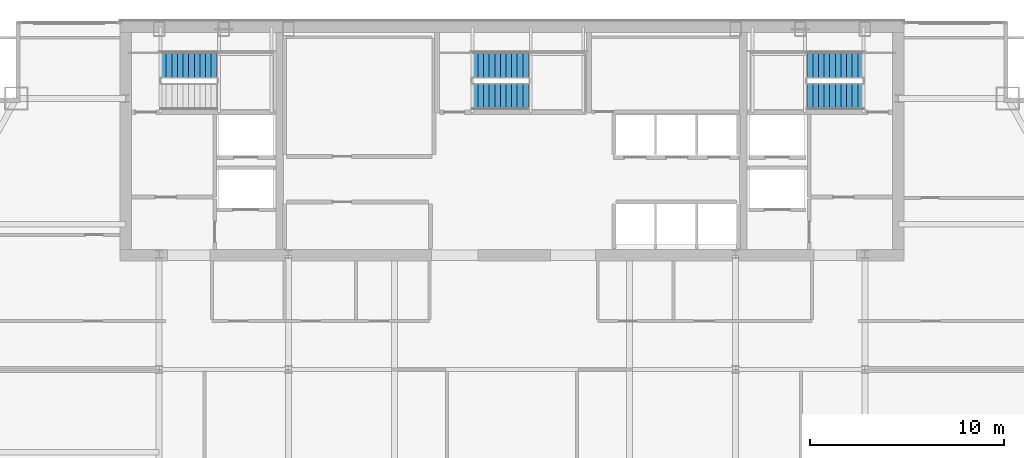
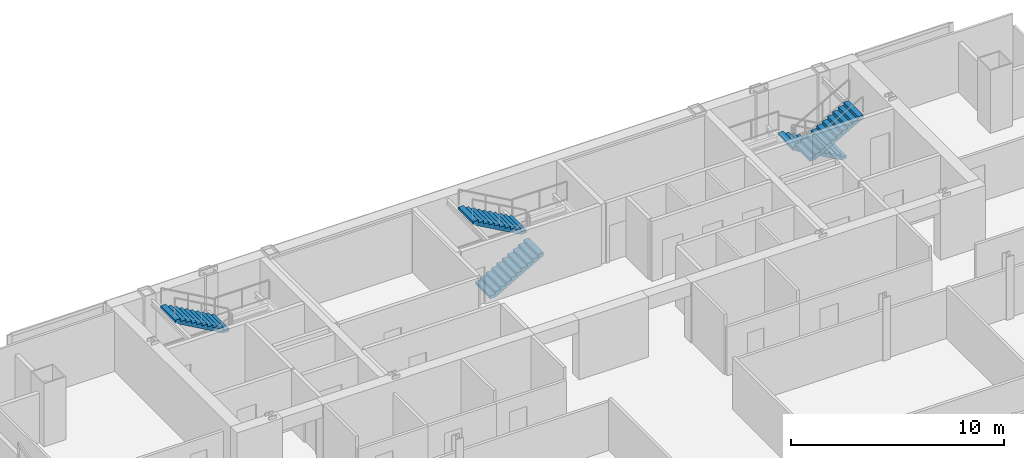
# One storey, part 30 of 32: 5 stair flights, 3 elements without a shape of their own.
"""IFC4 building model written with IfcOpenShell, lengths in metres."""

import ifcopenshell
import ifcopenshell.guid

model = None  # the IFC model being written
_history = None  # IfcOwnerHistory: only IFC2X3 demands one
_inside = {}  # id of a spatial element -> (the spatial element, [elements in it])
_under = {}  # id of a project, library or spatial element -> (it, [spatial elements below it])
_declared = {}  # id of a project -> (the project, [libraries it declares])
_typed = {}  # id of a type object -> (the type object, [elements of that type])
_made_of = {}  # id of a material, layer set ... -> (it, [elements and type objects made of it])


def new_model(schema):
    """Start an empty IFC model of exactly this schema.

    Asked for "IFC4X3", IfcOpenShell would pick the latest addendum, in which some entities
    have other attributes; the version numbers below select the first issue.
    IFC2X3 requires an IfcOwnerHistory on every rooted entity: one is made here for all.
    """
    global model, _history
    if schema == "IFC4X3":
        model = ifcopenshell.file(schema_version=(4, 3, 0, 0))
    else:
        model = ifcopenshell.file(schema=schema)
    _inside.clear()
    _under.clear()
    _declared.clear()
    _typed.clear()
    _made_of.clear()
    _history = None
    if model.schema == "IFC2X3":
        org = make("IfcOrganization", Name="unknown")
        user = make(
            "IfcPersonAndOrganization",
            ThePerson=make("IfcPerson", FamilyName="unknown"),
            TheOrganization=org,
        )
        app = make(
            "IfcApplication",
            ApplicationDeveloper=org,
            Version="unknown",
            ApplicationFullName="unknown",
            ApplicationIdentifier="unknown",
        )
        _history = make(
            "IfcOwnerHistory",
            OwningUser=user,
            OwningApplication=app,
            ChangeAction="ADDED",
            CreationDate=0,
        )
    return model


def make(cls, **values):
    """One entity of the class cls with the attributes given. An attribute that is None is left unset."""
    return model.create_entity(
        cls, **{name: value for name, value in values.items() if value is not None}
    )


def rooted(cls, **values):
    """An entity with a GlobalId (a new one), such as an element, a storey or a relation."""
    return make(cls, GlobalId=ifcopenshell.guid.new(), OwnerHistory=_history, **values)


def si_unit(unit_type, name, prefix=None):
    """IfcSIUnit, for example si_unit("LENGTHUNIT", "METRE", prefix="MILLI")."""
    return make("IfcSIUnit", UnitType=unit_type, Prefix=prefix, Name=name)


def assignment(units):
    """IfcUnitAssignment: the units of a project."""
    return None if units is None else make("IfcUnitAssignment", Units=units)


def point(xyz):
    """IfcCartesianPoint."""
    return None if xyz is None else make("IfcCartesianPoint", Coordinates=xyz)


def direction(xyz):
    """IfcDirection."""
    return None if xyz is None else make("IfcDirection", DirectionRatios=xyz)


def frame(location, z_axis=None, x_axis=None):
    """IfcAxis2Placement3D, a coordinate frame: its origin and axes. An axis left out is left unset."""
    return make(
        "IfcAxis2Placement3D",
        Location=point(location),
        Axis=direction(z_axis),
        RefDirection=direction(x_axis),
    )


def origin():
    """The frame at (0, 0, 0) with its axes left unset."""
    return frame((0.0, 0.0, 0.0))


def place(relative_to, where):
    """IfcLocalPlacement: puts the frame where relative to a parent placement (None: the world)."""
    return make(
        "IfcLocalPlacement", PlacementRelTo=relative_to, RelativePlacement=where
    )


def context(
    kind, dimensions, precision=None, world=None, true_north=None, identifier=None
):
    """IfcGeometricRepresentationContext, for example the 3D "Model" context."""
    return make(
        "IfcGeometricRepresentationContext",
        ContextIdentifier=identifier,
        ContextType=kind,
        CoordinateSpaceDimension=dimensions,
        Precision=precision,
        WorldCoordinateSystem=world,
        TrueNorth=true_north,
    )


def subcontext(parent, identifier, kind, view, scale=None):
    """IfcGeometricRepresentationSubContext, for example "Body" below "Model"."""
    return make(
        "IfcGeometricRepresentationSubContext",
        ContextIdentifier=identifier,
        ContextType=kind,
        ParentContext=parent,
        TargetScale=scale,
        TargetView=view,
    )


def project(units=None, contexts=None):
    """IfcProject with its units and contexts."""
    return rooted(
        "IfcProject",
        Name="project",
        RepresentationContexts=contexts,
        UnitsInContext=assignment(units),
    )


def spatial(cls, under=None, at=None, **own):
    """A site, building, storey or space (cls), placed at a placement, below another one or the project."""
    s = rooted(cls, ObjectPlacement=at, **own)
    if under is not None:
        _under.setdefault(under.id(), (under, []))[1].append(s)
    return s


def polyline(points):
    """IfcPolyline through the points."""
    return make("IfcPolyline", Points=[point(p) for p in points])


def outline(outer, holes=None, kind="AREA"):
    """IfcArbitraryClosedProfileDef: a profile drawn as a closed curve; with holes, ...WithVoids."""
    if holes is None:
        return make("IfcArbitraryClosedProfileDef", ProfileType=kind, OuterCurve=outer)
    return make(
        "IfcArbitraryProfileDefWithVoids",
        ProfileType=kind,
        OuterCurve=outer,
        InnerCurves=holes,
    )


def extrude(swept, where, along, depth):
    """IfcExtrudedAreaSolid: the profile swept, set in the frame where, extruded along a direction by depth."""
    return make(
        "IfcExtrudedAreaSolid",
        SweptArea=swept,
        Position=where,
        ExtrudedDirection=direction(along),
        Depth=depth,
    )


def shape(context_of_items, identifier, shape_type, items):
    """IfcShapeRepresentation: the items that make up one representation, for example the "Body"."""
    return make(
        "IfcShapeRepresentation",
        ContextOfItems=context_of_items,
        RepresentationIdentifier=identifier,
        RepresentationType=shape_type,
        Items=items,
    )


def material(Name=None, Category=None):
    """IfcMaterial."""
    return make("IfcMaterial", Name=Name, Category=Category)


def made_of(thing, what):
    """Note that an element or type object is made of a material, layer set ...; save() writes the relation."""
    if what is not None:
        _made_of.setdefault(what.id(), (what, []))[1].append(thing)
    return thing


def type_object(cls, material=None, **own):
    """A type object (cls), such as IfcWallType, which elements share."""
    return made_of(rooted(cls, **own), material)


def element(
    cls,
    number,
    at=None,
    inside=None,
    cuts=None,
    type_object=None,
    material=None,
    context=None,
    identifier="Body",
    shape_type=None,
    held_by="IfcProductDefinitionShape",
    body=None,
    shapes=None,
    **own,
):
    """One element of the class cls, such as IfcWall. Its Tag is "e" and its number.

    at: its placement. inside: the storey or other place that contains it. cuts: it is an
    opening in that element (IfcRelVoidsElement). A single representation is given by context,
    identifier, shape_type and body (its items); several are given by shapes. held_by: the class
    of the entity that holds the representations. save() writes the other relations.
    """
    e = rooted(cls, Tag="e%d" % number, ObjectPlacement=at, **own)
    if body is not None:
        shapes = [shape(context, identifier, shape_type, body)]
    if shapes is not None:
        e.Representation = make(held_by, Representations=shapes)
    if inside is not None:
        _inside.setdefault(inside.id(), (inside, []))[1].append(e)
    if cuts is not None:
        rooted(
            "IfcRelVoidsElement", RelatingBuildingElement=cuts, RelatedOpeningElement=e
        )
    if type_object is not None:
        _typed.setdefault(type_object.id(), (type_object, []))[1].append(e)
    return made_of(e, material)


def aggregate(whole, parts):
    """IfcRelAggregates: a whole, such as a stair, and the parts it consists of."""
    return rooted("IfcRelAggregates", RelatingObject=whole, RelatedObjects=parts)


def save(model, path):
    """Write the relations noted so far, then the file.

    IfcRelAggregates (storeys below a building ...), IfcRelContainedInSpatialStructure (elements
    in a storey), IfcRelDefinesByType, IfcRelAssociatesMaterial and IfcRelDeclares: one each for
    every whole, place, type object, material and project.
    """
    for whole, parts in _under.values():
        aggregate(whole, parts)
    for where, things in _inside.values():
        rooted(
            "IfcRelContainedInSpatialStructure",
            RelatedElements=things,
            RelatingStructure=where,
        )
    for kind, things in _typed.values():
        rooted("IfcRelDefinesByType", RelatedObjects=things, RelatingType=kind)
    for what, things in _made_of.values():
        rooted("IfcRelAssociatesMaterial", RelatedObjects=things, RelatingMaterial=what)
    for by, libraries in _declared.values():
        rooted("IfcRelDeclares", RelatingContext=by, RelatedDefinitions=libraries)
    model.write(path)


model = new_model("IFC4")

# Units and contexts
model_context = context("Model", 3, precision=1e-05, world=origin(), true_north=direction((0.0, 1.0)))
body_context = subcontext(model_context, "Body", "Model", "MODEL_VIEW")
ifc_project = project(units=[si_unit("LENGTHUNIT", "METRE"), si_unit("AREAUNIT", "SQUARE_METRE"), si_unit("VOLUMEUNIT", "CUBIC_METRE"), si_unit("PLANEANGLEUNIT", "RADIAN"), si_unit("MASSUNIT", "GRAM", prefix="KILO")], contexts=[model_context])

# Site, building, storey
site_placement = place(None, origin())
site = spatial("IfcSite", under=ifc_project, at=site_placement, CompositionType="ELEMENT")
building_placement = place(site_placement, origin())
building = spatial("IfcBuilding", under=site, at=building_placement, Name="Khoronbel Lancet Exchange", CompositionType="ELEMENT")
storey_placement = place(building_placement, frame((0.0, 0.0, 228.199951171875)))
storey = spatial("IfcBuildingStorey", under=building, at=storey_placement, Name="L58", CompositionType="ELEMENT", Elevation=228.199951171875)

# Stair, stair flight
ifc_material = material(Name="Concrete C40/50", Category="concrete")
stair_type = type_object("IfcStairType", Name="STR-CORE150", PredefinedType="HALF_TURN_STAIR", material=ifc_material)
stair_1_placement = place(storey_placement, origin())
stair_1 = element("IfcStair", 1, at=stair_1_placement, inside=storey, type_object=stair_type, Name="L58 Protected Exit Stair ST1", PredefinedType="HALF_TURN_STAIR")
stair_flight_type = type_object("IfcStairFlightType", Name="STF-150", PredefinedType="STRAIGHT", material=ifc_material)
stair_flight_1_placement = place(storey_placement, frame((21.199951171875, 51.409912109375, 1.800048828125), z_axis=(0.0, 0.0, 1.0), x_axis=(-1.0, 0.0, 0.0)))
stair_flight_1 = element("IfcStairFlight", 2, at=stair_flight_1_placement, type_object=stair_flight_type, Name="ST1 flight 2", NumberOfRisers=11, NumberOfTreads=10, PredefinedType="STRAIGHT", RiserHeight=0.163636364, TreadLength=0.29, context=body_context, shape_type="SweptSolid", body=[
    extrude(outline(polyline([(0.0, 0.0), (0.0, 0.16357421875), (0.2900390625, 0.16357421875), (0.2900390625, 0.327392578125), (0.580078125, 0.327392578125), (0.580078125, 0.490966796875), (0.8701171875, 0.490966796875), (0.8701171875, 0.654541015625), (1.159912109375, 0.654541015625), (1.159912109375, 0.818115234375), (1.449951171875, 0.818115234375), (1.449951171875, 0.98193359375), (1.739990234375, 0.98193359375), (1.739990234375, 1.1455078125), (2.030029296875, 1.1455078125), (2.030029296875, 1.30908203125), (2.320068359375, 1.30908203125), (2.320068359375, 1.47265625), (2.610107421875, 1.47265625), (2.610107421875, 1.636474609375), (2.89990234375, 1.636474609375), (2.89990234375, 1.800048828125), (2.89990234375, 1.46435546875), (0.304931640625, 0.0), (0.0, 0.0)])), frame((0.0, 0.68994140625, 0.0), z_axis=(0.0, -1.0, 0.0), x_axis=(1.0, 0.0, 0.0)), (0.0, 0.0, 1.0), 1.3798828125),
])
aggregate(stair_1, [stair_flight_1])

# Stair, stair flights
stair_2_placement = place(storey_placement, origin())
stair_2 = element("IfcStair", 3, at=stair_2_placement, inside=storey, type_object=stair_type, Name="L58 Protected Exit Stair ST2", PredefinedType="HALF_TURN_STAIR")
stair_flight_2_placement = place(storey_placement, frame((54.60009765625, 51.409912109375, 0.0), z_axis=(0.0, 0.0, 1.0), x_axis=(-1.0, 0.0, 0.0)))
stair_flight_2 = element("IfcStairFlight", 4, at=stair_flight_2_placement, type_object=stair_flight_type, Name="ST2 flight 1", NumberOfRisers=11, NumberOfTreads=10, PredefinedType="STRAIGHT", RiserHeight=0.163636364, TreadLength=0.29, context=body_context, shape_type="SweptSolid", body=[
    extrude(outline(polyline([(0.0, 0.0), (0.0, 0.16357421875), (0.2900390625, 0.16357421875), (0.2900390625, 0.327392578125), (0.580078125, 0.327392578125), (0.580078125, 0.490966796875), (0.8701171875, 0.490966796875), (0.8701171875, 0.654541015625), (1.159912109375, 0.654541015625), (1.159912109375, 0.818115234375), (1.449951171875, 0.818115234375), (1.449951171875, 0.98193359375), (1.739990234375, 0.98193359375), (1.739990234375, 1.1455078125), (2.030029296875, 1.1455078125), (2.030029296875, 1.30908203125), (2.320068359375, 1.30908203125), (2.320068359375, 1.47265625), (2.610107421875, 1.47265625), (2.610107421875, 1.636474609375), (2.89990234375, 1.636474609375), (2.89990234375, 1.800048828125), (2.89990234375, 1.46435546875), (0.304931640625, 0.0), (0.0, 0.0)])), frame((0.0, 0.68994140625, 0.0), z_axis=(0.0, -1.0, 0.0), x_axis=(1.0, 0.0, 0.0)), (0.0, 0.0, 1.0), 1.3798828125),
])
stair_flight_3_placement = place(storey_placement, frame((51.699951171875, 49.81005859375, 1.800048828125), z_axis=(0.0, 0.0, 1.0), x_axis=(1.0, 0.0, 0.0)))
stair_flight_3 = element("IfcStairFlight", 5, at=stair_flight_3_placement, type_object=stair_flight_type, Name="ST2 flight 2", NumberOfRisers=11, NumberOfTreads=10, PredefinedType="STRAIGHT", RiserHeight=0.163636364, TreadLength=0.29, context=body_context, shape_type="SweptSolid", body=[
    extrude(outline(polyline([(0.0, 0.0), (0.0, 0.16357421875), (0.2900390625, 0.16357421875), (0.2900390625, 0.327392578125), (0.580078125, 0.327392578125), (0.580078125, 0.490966796875), (0.8701171875, 0.490966796875), (0.8701171875, 0.654541015625), (1.159912109375, 0.654541015625), (1.159912109375, 0.818115234375), (1.449951171875, 0.818115234375), (1.449951171875, 0.98193359375), (1.739990234375, 0.98193359375), (1.739990234375, 1.1455078125), (2.030029296875, 1.1455078125), (2.030029296875, 1.30908203125), (2.320068359375, 1.30908203125), (2.320068359375, 1.47265625), (2.610107421875, 1.47265625), (2.610107421875, 1.636474609375), (2.89990234375, 1.636474609375), (2.89990234375, 1.800048828125), (2.89990234375, 1.46435546875), (0.304931640625, 0.0), (0.0, 0.0)])), frame((0.0, 0.68994140625, 0.0), z_axis=(0.0, -1.0, 0.0), x_axis=(1.0, 0.0, 0.0)), (0.0, 0.0, 1.0), 1.3798828125),
])
aggregate(stair_2, [stair_flight_2, stair_flight_3])

stair_3_placement = place(storey_placement, origin())
stair_3 = element("IfcStair", 6, at=stair_3_placement, inside=storey, type_object=stair_type, Name="L58 Protected Exit Stair ST3", PredefinedType="HALF_TURN_STAIR")
stair_flight_4_placement = place(storey_placement, frame((34.39990234375, 49.81005859375, 0.0), z_axis=(0.0, 0.0, 1.0), x_axis=(1.0, 0.0, 0.0)))
stair_flight_4 = element("IfcStairFlight", 7, at=stair_flight_4_placement, type_object=stair_flight_type, Name="ST3 flight 1", NumberOfRisers=11, NumberOfTreads=10, PredefinedType="STRAIGHT", RiserHeight=0.163636364, TreadLength=0.29, context=body_context, shape_type="SweptSolid", body=[
    extrude(outline(polyline([(0.0, 0.0), (0.0, 0.16357421875), (0.2900390625, 0.16357421875), (0.2900390625, 0.327392578125), (0.580078125, 0.327392578125), (0.580078125, 0.490966796875), (0.8701171875, 0.490966796875), (0.8701171875, 0.654541015625), (1.159912109375, 0.654541015625), (1.159912109375, 0.818115234375), (1.449951171875, 0.818115234375), (1.449951171875, 0.98193359375), (1.739990234375, 0.98193359375), (1.739990234375, 1.1455078125), (2.030029296875, 1.1455078125), (2.030029296875, 1.30908203125), (2.320068359375, 1.30908203125), (2.320068359375, 1.47265625), (2.610107421875, 1.47265625), (2.610107421875, 1.636474609375), (2.89990234375, 1.636474609375), (2.89990234375, 1.800048828125), (2.89990234375, 1.46435546875), (0.304931640625, 0.0), (0.0, 0.0)])), frame((0.0, 0.68994140625, 0.0), z_axis=(0.0, -1.0, 0.0), x_axis=(1.0, 0.0, 0.0)), (0.0, 0.0, 1.0), 1.3798828125),
])
stair_flight_5_placement = place(storey_placement, frame((37.300048828125, 51.409912109375, 1.800048828125), z_axis=(0.0, 0.0, 1.0), x_axis=(-1.0, 0.0, 0.0)))
stair_flight_5 = element("IfcStairFlight", 8, at=stair_flight_5_placement, type_object=stair_flight_type, Name="ST3 flight 2", NumberOfRisers=11, NumberOfTreads=10, PredefinedType="STRAIGHT", RiserHeight=0.163636364, TreadLength=0.29, context=body_context, shape_type="SweptSolid", body=[
    extrude(outline(polyline([(0.0, 0.0), (0.0, 0.16357421875), (0.2900390625, 0.16357421875), (0.2900390625, 0.327392578125), (0.580078125, 0.327392578125), (0.580078125, 0.490966796875), (0.8701171875, 0.490966796875), (0.8701171875, 0.654541015625), (1.159912109375, 0.654541015625), (1.159912109375, 0.818115234375), (1.449951171875, 0.818115234375), (1.449951171875, 0.98193359375), (1.739990234375, 0.98193359375), (1.739990234375, 1.1455078125), (2.030029296875, 1.1455078125), (2.030029296875, 1.30908203125), (2.320068359375, 1.30908203125), (2.320068359375, 1.47265625), (2.610107421875, 1.47265625), (2.610107421875, 1.636474609375), (2.89990234375, 1.636474609375), (2.89990234375, 1.800048828125), (2.89990234375, 1.46435546875), (0.304931640625, 0.0), (0.0, 0.0)])), frame((0.0, 0.68994140625, 0.0), z_axis=(0.0, -1.0, 0.0), x_axis=(1.0, 0.0, 0.0)), (0.0, 0.0, 1.0), 1.3798828125),
])
aggregate(stair_3, [stair_flight_4, stair_flight_5])

save(model, "model.ifc")
